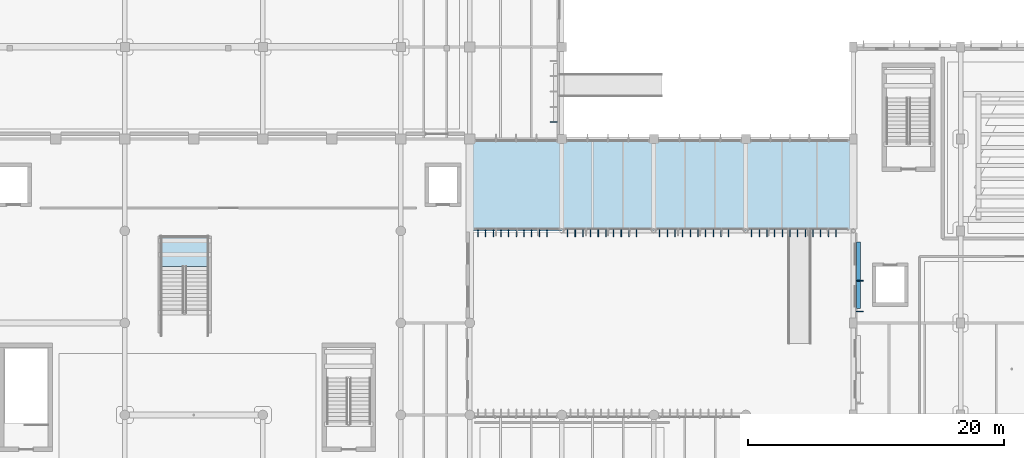
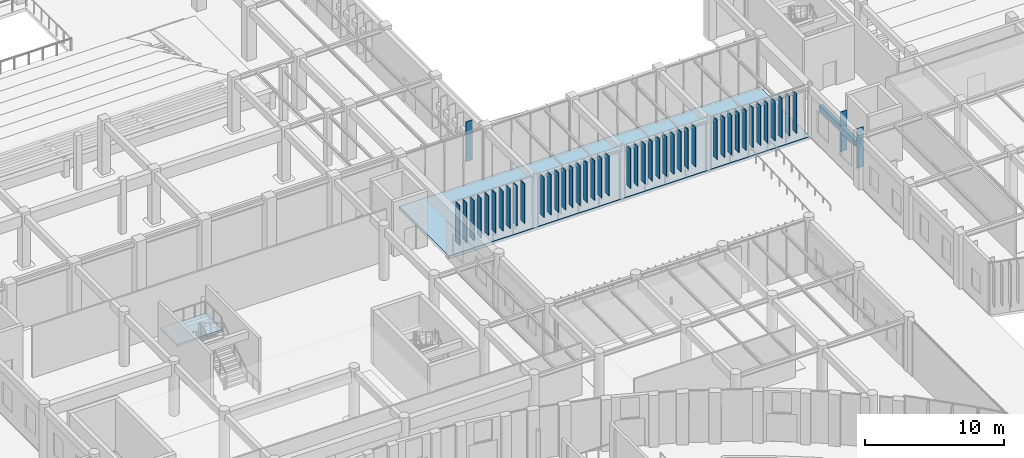
# One storey, part 20 of 122: 46 plates, 2 slabs, 1 element without a shape of its own.
"""IFC4 building model written with IfcOpenShell, lengths in metres."""

from ifc_helpers import new_model, si_unit, direction, frame, origin, origin_2d, place, context, subcontext, project, spatial, polyline, rectangle, outline, extrude, material, layer, layer_set, type_object, element, aggregate, save


model = new_model("IFC4")

# Units and contexts
model_context = context("Model", 3, precision=1e-05, world=origin(), true_north=direction((0.0, 1.0)))
body_context = subcontext(model_context, "Body", "Model", "MODEL_VIEW")
ifc_project = project(units=[si_unit("LENGTHUNIT", "METRE"), si_unit("AREAUNIT", "SQUARE_METRE"), si_unit("VOLUMEUNIT", "CUBIC_METRE"), si_unit("PLANEANGLEUNIT", "RADIAN"), si_unit("MASSUNIT", "GRAM", prefix="KILO")], contexts=[model_context])

# Site, building, storey
site_placement = place(None, origin())
site = spatial("IfcSite", under=ifc_project, at=site_placement, CompositionType="ELEMENT")
building_placement = place(site_placement, origin())
building = spatial("IfcBuilding", under=site, at=building_placement, Name="Tazoul Stagehouse", CompositionType="ELEMENT")
storey_placement = place(building_placement, origin())
storey = spatial("IfcBuildingStorey", under=building, at=storey_placement, Name="L00", CompositionType="ELEMENT", Elevation=0.0)

# Stair, slab
ifc_material_1 = material(Name="Concrete C40/50", Category="concrete")
stair_type = type_object("IfcStairType", Name="Grand Foyer Ceremonial Straight Stair", PredefinedType="HALF_TURN_STAIR", material=ifc_material_1)
stair_placement = place(storey_placement, origin())
stair = element("IfcStair", 1, at=stair_placement, inside=storey, type_object=stair_type, Name="L00 Civic Feature Stair ST-ATR-01", PredefinedType="HALF_TURN_STAIR")
ifc_layer_1 = layer(ifc_material_1, 0.179931640625, Name="Concrete C40/50")
ifc_layer_set_1 = layer_set([ifc_layer_1], Name="Concrete C40/50")
slab_type_1 = type_object("IfcSlabType", Name="Core Half-Landing Slab 180", PredefinedType="LANDING", material=ifc_layer_set_1)
slab_1_placement = place(storey_placement, frame((0.0, 0.0, 2.199951171875)))
slab_1 = element("IfcSlab", 2, at=slab_1_placement, type_object=slab_type_1, Name="ST-ATR-01 landing 1", PredefinedType="LANDING", context=body_context, shape_type="SweptSolid", body=[
    extrude(outline(polyline([(74.949951171875, 41.800048828125), (74.949951171875, 44.199951171875), (71.199951171875, 44.199951171875), (71.199951171875, 41.800048828125), (74.949951171875, 41.800048828125)])), origin(), (0.0, 0.0, 1.0), 0.199951171875),
])
aggregate(stair, [slab_1])

# Slab
ifc_material_2 = material(Name="Concrete C35/45", Category="concrete")
ifc_layer_2 = layer(ifc_material_2, 0.260009765625, Name="Concrete C35/45")
ifc_layer_set_2 = layer_set([ifc_layer_2], Name="Concrete C35/45")
slab_type_2 = type_object("IfcSlabType", Name="Crescent Foyer Slab 260", PredefinedType="FLOOR", material=ifc_layer_set_2)
slab_2_placement = place(storey_placement, frame((0.0, 0.0, -0.260009765625)))
element("IfcSlab", 3, at=slab_2_placement, inside=storey, type_object=slab_type_2, Name="L00 Crescent Foyer Slab 260 (V4)", PredefinedType="FLOOR", context=body_context, shape_type="SweptSolid", body=[
    extrude(outline(polyline([(95.39990234375, 44.60009765625), (95.39990234375, 51.800048828125), (125.39990234375, 51.800048828125), (125.39990234375, 44.60009765625), (95.39990234375, 44.60009765625)])), origin(), (0.0, 0.0, 1.0), 0.260009765625),
])

# Plates
ifc_material_3 = material(Name="Anodised Bronze Aluminium 6063-T6", Category="aluminium")
ifc_layer_3 = layer(ifc_material_3, 0.550048828125, Name="Anodised Bronze Aluminium 6063-T6")
ifc_layer_set_3 = layer_set([ifc_layer_3], Name="Anodised Bronze Aluminium 6063-T6")
plate_type_1 = type_object("IfcPlateType", Name="Parametric Terracotta-Bronze Solar Fin 550x3500", PredefinedType="USERDEFINED", material=ifc_layer_set_3)
for number, where, z_axis, x_axis, name in (
    (4, (125.925048828125, 38.304931640625, 0.919921875), (0.0, 0.0, 1.0), (0.0, 1.0, 0.0), "L00 Parametric Solar Fin SFN-21 (WALL-V4-W-L00-S4-01)"),
    (5, (125.925048828125, 40.705078125, 0.919921875), (0.0, 0.0, 1.0), (0.0, 1.0, 0.0), "L00 Parametric Solar Fin SFN-21 (WALL-V4-W-L00-S4-03)"),
    (6, (96.0400390625, 44.43505859375, 0.989990234375), (0.0, 0.0, 1.0), (1.0, 0.0, 0.0), "L00 Parametric Solar Fin SFN-21 (CW-ELNK-S-L00-B1-01)"),
    (7, (96.639892578125, 44.43505859375, 0.989990234375), (0.0, 0.0, 1.0), (1.0, 0.0, 0.0), "L00 Parametric Solar Fin SFN-21 (CW-ELNK-S-L00-B1-02)"),
    (8, (97.239990234375, 44.43505859375, 0.989990234375), (0.0, 0.0, 1.0), (1.0, 0.0, 0.0), "L00 Parametric Solar Fin SFN-21 (CW-ELNK-S-L00-B1-03)"),
    (9, (97.840087890625, 44.43505859375, 0.989990234375), (0.0, 0.0, 1.0), (1.0, 0.0, 0.0), "L00 Parametric Solar Fin SFN-21 (CW-ELNK-S-L00-B1-04)"),
    (10, (98.43994140625, 44.43505859375, 0.989990234375), (0.0, 0.0, 1.0), (1.0, 0.0, 0.0), "L00 Parametric Solar Fin SFN-21 (CW-ELNK-S-L00-B1-05)"),
    (11, (99.0400390625, 44.43505859375, 0.989990234375), (0.0, 0.0, 1.0), (1.0, 0.0, 0.0), "L00 Parametric Solar Fin SFN-21 (CW-ELNK-S-L00-B1-06)"),
    (12, (99.639892578125, 44.43505859375, 0.989990234375), (0.0, 0.0, 1.0), (1.0, 0.0, 0.0), "L00 Parametric Solar Fin SFN-21 (CW-ELNK-S-L00-B1-07)"),
    (13, (100.239990234375, 44.43505859375, 0.989990234375), (0.0, 0.0, 1.0), (1.0, 0.0, 0.0), "L00 Parametric Solar Fin SFN-21 (CW-ELNK-S-L00-B1-08)"),
    (14, (100.840087890625, 44.43505859375, 0.989990234375), (0.0, 0.0, 1.0), (1.0, 0.0, 0.0), "L00 Parametric Solar Fin SFN-21 (CW-ELNK-S-L00-B1-09)"),
    (15, (101.43994140625, 44.43505859375, 0.989990234375), (0.0, 0.0, 1.0), (1.0, 0.0, 0.0), "L00 Parametric Solar Fin SFN-21 (CW-ELNK-S-L00-B1-10)"),
    (16, (103.052001953125, 44.43505859375, 0.989990234375), (0.0, 0.0, 1.0), (1.0, 0.0, 0.0), "L00 Parametric Solar Fin SFN-21 (CW-ELNK-S-L00-B2-01)"),
    (17, (103.65185546875, 44.43505859375, 0.989990234375), (0.0, 0.0, 1.0), (1.0, 0.0, 0.0), "L00 Parametric Solar Fin SFN-21 (CW-ELNK-S-L00-B2-02)"),
    (18, (104.251953125, 44.43505859375, 0.989990234375), (0.0, 0.0, 1.0), (1.0, 0.0, 0.0), "L00 Parametric Solar Fin SFN-21 (CW-ELNK-S-L00-B2-03)"),
    (19, (104.851806640625, 44.43505859375, 0.989990234375), (0.0, 0.0, 1.0), (1.0, 0.0, 0.0), "L00 Parametric Solar Fin SFN-21 (CW-ELNK-S-L00-B2-04)"),
    (20, (105.451904296875, 44.43505859375, 0.989990234375), (0.0, 0.0, 1.0), (1.0, 0.0, 0.0), "L00 Parametric Solar Fin SFN-21 (CW-ELNK-S-L00-B2-05)"),
    (21, (106.052001953125, 44.43505859375, 0.989990234375), (0.0, 0.0, 1.0), (1.0, 0.0, 0.0), "L00 Parametric Solar Fin SFN-21 (CW-ELNK-S-L00-B2-06)"),
    (22, (106.65185546875, 44.43505859375, 0.989990234375), (0.0, 0.0, 1.0), (1.0, 0.0, 0.0), "L00 Parametric Solar Fin SFN-21 (CW-ELNK-S-L00-B2-07)"),
    (23, (107.251953125, 44.43505859375, 0.989990234375), (0.0, 0.0, 1.0), (1.0, 0.0, 0.0), "L00 Parametric Solar Fin SFN-21 (CW-ELNK-S-L00-B2-08)"),
    (24, (107.851806640625, 44.43505859375, 0.989990234375), (0.0, 0.0, 1.0), (1.0, 0.0, 0.0), "L00 Parametric Solar Fin SFN-21 (CW-ELNK-S-L00-B2-09)"),
    (25, (108.451904296875, 44.43505859375, 0.989990234375), (0.0, 0.0, 1.0), (1.0, 0.0, 0.0), "L00 Parametric Solar Fin SFN-21 (CW-ELNK-S-L00-B2-10)"),
    (26, (110.251953125, 44.43505859375, 0.989990234375), (0.0, 0.0, 1.0), (1.0, 0.0, 0.0), "L00 Parametric Solar Fin SFN-21 (CW-ELNK-S-L00-B3-01)"),
    (27, (110.851806640625, 44.43505859375, 0.989990234375), (0.0, 0.0, 1.0), (1.0, 0.0, 0.0), "L00 Parametric Solar Fin SFN-21 (CW-ELNK-S-L00-B3-02)"),
    (28, (111.451904296875, 44.43505859375, 0.989990234375), (0.0, 0.0, 1.0), (1.0, 0.0, 0.0), "L00 Parametric Solar Fin SFN-21 (CW-ELNK-S-L00-B3-03)"),
    (29, (112.052001953125, 44.43505859375, 0.989990234375), (0.0, 0.0, 1.0), (1.0, 0.0, 0.0), "L00 Parametric Solar Fin SFN-21 (CW-ELNK-S-L00-B3-04)"),
    (30, (112.65185546875, 44.43505859375, 0.989990234375), (0.0, 0.0, 1.0), (1.0, 0.0, 0.0), "L00 Parametric Solar Fin SFN-21 (CW-ELNK-S-L00-B3-05)"),
    (31, (113.251953125, 44.43505859375, 0.989990234375), (0.0, 0.0, 1.0), (1.0, 0.0, 0.0), "L00 Parametric Solar Fin SFN-21 (CW-ELNK-S-L00-B3-06)"),
    (32, (113.851806640625, 44.43505859375, 0.989990234375), (0.0, 0.0, 1.0), (1.0, 0.0, 0.0), "L00 Parametric Solar Fin SFN-21 (CW-ELNK-S-L00-B3-07)"),
    (33, (114.451904296875, 44.43505859375, 0.989990234375), (0.0, 0.0, 1.0), (1.0, 0.0, 0.0), "L00 Parametric Solar Fin SFN-21 (CW-ELNK-S-L00-B3-08)"),
    (34, (115.052001953125, 44.43505859375, 0.989990234375), (0.0, 0.0, 1.0), (1.0, 0.0, 0.0), "L00 Parametric Solar Fin SFN-21 (CW-ELNK-S-L00-B3-09)"),
    (35, (115.65185546875, 44.43505859375, 0.989990234375), (0.0, 0.0, 1.0), (1.0, 0.0, 0.0), "L00 Parametric Solar Fin SFN-21 (CW-ELNK-S-L00-B3-10)"),
    (36, (117.451904296875, 44.43505859375, 0.989990234375), (0.0, 0.0, 1.0), (1.0, 0.0, 0.0), "L00 Parametric Solar Fin SFN-21 (CW-ELNK-S-L00-B4-01)"),
    (37, (118.052001953125, 44.43505859375, 0.989990234375), (0.0, 0.0, 1.0), (1.0, 0.0, 0.0), "L00 Parametric Solar Fin SFN-21 (CW-ELNK-S-L00-B4-02)"),
    (38, (118.652099609375, 44.43505859375, 0.989990234375), (0.0, 0.0, 1.0), (1.0, 0.0, 0.0), "L00 Parametric Solar Fin SFN-21 (CW-ELNK-S-L00-B4-03)"),
    (39, (119.251953125, 44.43505859375, 0.989990234375), (0.0, 0.0, 1.0), (1.0, 0.0, 0.0), "L00 Parametric Solar Fin SFN-21 (CW-ELNK-S-L00-B4-04)"),
    (40, (119.85205078125, 44.43505859375, 0.989990234375), (0.0, 0.0, 1.0), (1.0, 0.0, 0.0), "L00 Parametric Solar Fin SFN-21 (CW-ELNK-S-L00-B4-05)"),
    (41, (120.451904296875, 44.43505859375, 0.989990234375), (0.0, 0.0, 1.0), (1.0, 0.0, 0.0), "L00 Parametric Solar Fin SFN-21 (CW-ELNK-S-L00-B4-06)"),
    (42, (121.052001953125, 44.43505859375, 0.989990234375), (0.0, 0.0, 1.0), (1.0, 0.0, 0.0), "L00 Parametric Solar Fin SFN-21 (CW-ELNK-S-L00-B4-07)"),
    (43, (121.652099609375, 44.43505859375, 0.989990234375), (0.0, 0.0, 1.0), (1.0, 0.0, 0.0), "L00 Parametric Solar Fin SFN-21 (CW-ELNK-S-L00-B4-08)"),
    (44, (122.251953125, 44.43505859375, 0.989990234375), (0.0, 0.0, 1.0), (1.0, 0.0, 0.0), "L00 Parametric Solar Fin SFN-21 (CW-ELNK-S-L00-B4-09)"),
    (45, (122.85205078125, 44.43505859375, 0.989990234375), (0.0, 0.0, 1.0), (1.0, 0.0, 0.0), "L00 Parametric Solar Fin SFN-21 (CW-ELNK-S-L00-B4-10)"),
    (46, (123.451904296875, 44.43505859375, 0.989990234375), (0.0, 0.0, 1.0), (1.0, 0.0, 0.0), "L00 Parametric Solar Fin SFN-21 (CW-ELNK-S-L00-B4-11)"),
    (47, (124.052001953125, 44.43505859375, 0.989990234375), (0.0, 0.0, 1.0), (1.0, 0.0, 0.0), "L00 Parametric Solar Fin SFN-21 (CW-ELNK-S-L00-B4-12)"),
    (48, (101.97509765625, 53.110107421875, 0.919921875), (0.0, 0.0, 1.0), (0.0, -1.0, 0.0), "L00 Parametric Solar Fin SFN-21 (WALL-V1-E-L00-S1-B5-05)"),
):
    element("IfcPlate", number, at=place(storey_placement, frame(where, z_axis=z_axis, x_axis=x_axis)), inside=storey, type_object=plate_type_1, Name=name, ObjectType="SOLAR FIN", PredefinedType="USERDEFINED", context=body_context, shape_type="SweptSolid", body=[
        extrude(rectangle(XDim=0.044921875, YDim=0.550048828125, at=origin_2d()), origin(), (0.0, 0.0, 1.0), 3.5),
    ])
ifc_layer_4 = layer(ifc_material_3, 0.320068359375, Name="Anodised Bronze Aluminium 6063-T6")
ifc_layer_set_4 = layer_set([ifc_layer_4], Name="Anodised Bronze Aluminium 6063-T6")
plate_type_2 = type_object("IfcPlateType", Name="Sculpted Facade Spandrel Ribbon 5200x480", PredefinedType="USERDEFINED", material=ifc_layer_set_4)
plate_placement = place(storey_placement, frame((125.81005859375, 41.119140625, 2.7109375), z_axis=(0.0, 0.0, 1.0), x_axis=(0.0, 1.0, 0.0)))
element("IfcPlate", 49, at=plate_placement, inside=storey, type_object=plate_type_2, Name="L00 Sculpted Facade Spandrel Ribbon FRB-07 (WALL-V4-W-L00-S4)", ObjectType="FACADE RIBBON", PredefinedType="USERDEFINED", context=body_context, shape_type="SweptSolid", body=[
    extrude(rectangle(XDim=5.199951171875, YDim=0.320068359375, at=origin_2d()), origin(), (0.0, 0.0, 1.0), 0.47998046875),
])

save(model, "model.ifc")
